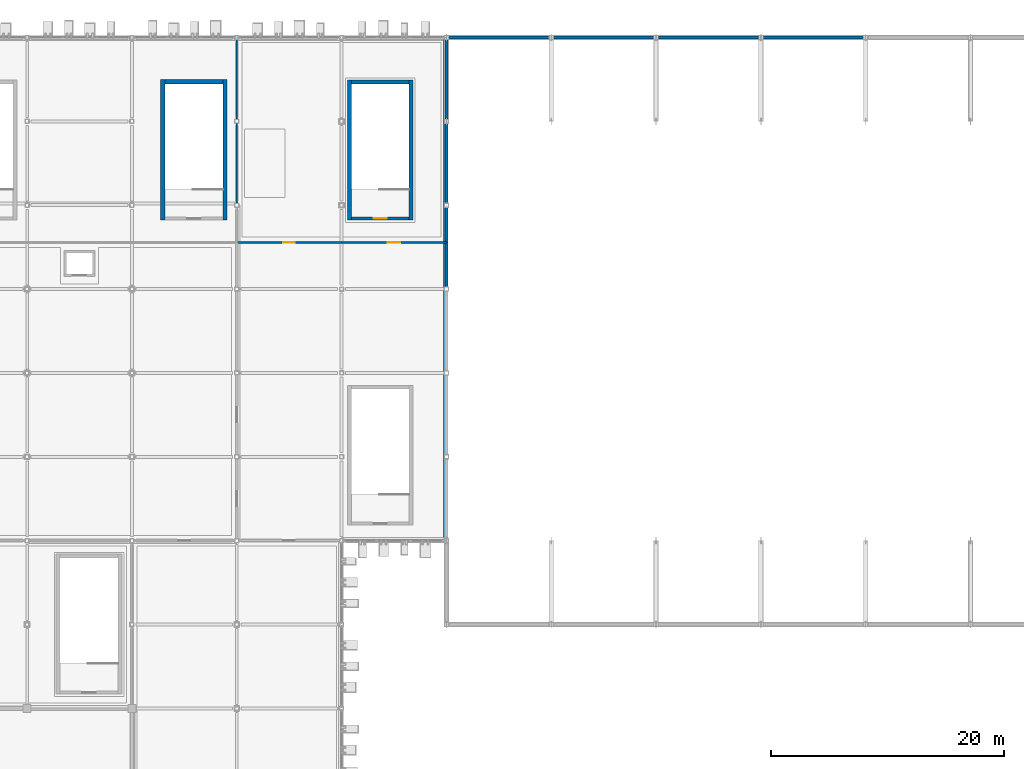
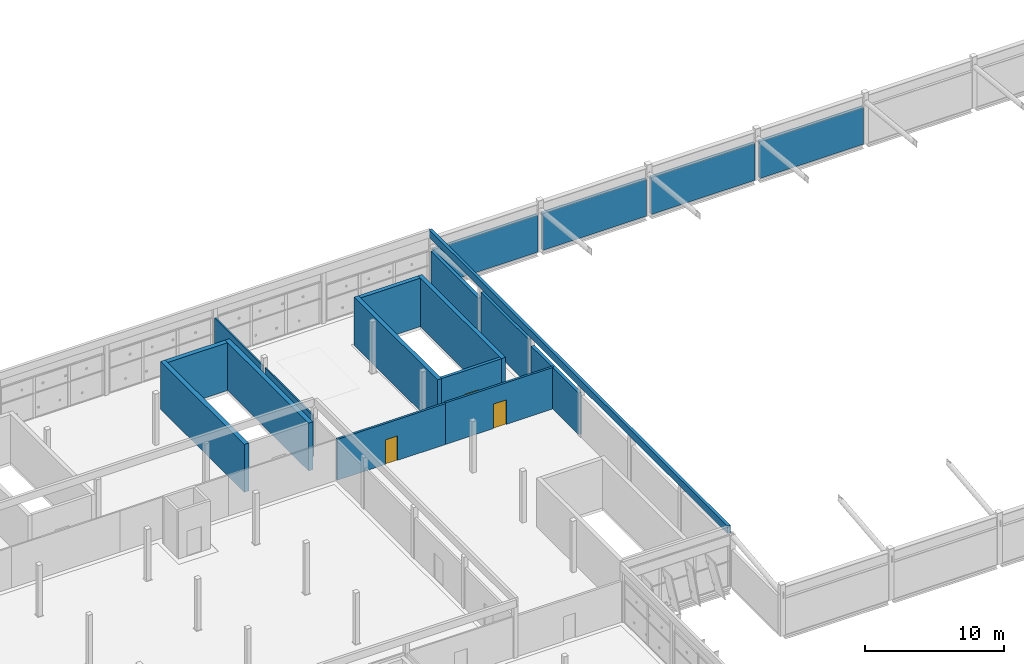
# One storey, part 107 of 124: 19 walls, 3 doors, 3 openings.
"""IFC4 building model written with IfcOpenShell, lengths in metres."""

import ifcopenshell
import ifcopenshell.guid

model = None  # the IFC model being written
_history = None  # IfcOwnerHistory: only IFC2X3 demands one
_inside = {}  # id of a spatial element -> (the spatial element, [elements in it])
_under = {}  # id of a project, library or spatial element -> (it, [spatial elements below it])
_declared = {}  # id of a project -> (the project, [libraries it declares])
_typed = {}  # id of a type object -> (the type object, [elements of that type])
_made_of = {}  # id of a material, layer set ... -> (it, [elements and type objects made of it])


def new_model(schema):
    """Start an empty IFC model of exactly this schema.

    Asked for "IFC4X3", IfcOpenShell would pick the latest addendum, in which some entities
    have other attributes; the version numbers below select the first issue.
    IFC2X3 requires an IfcOwnerHistory on every rooted entity: one is made here for all.
    """
    global model, _history
    if schema == "IFC4X3":
        model = ifcopenshell.file(schema_version=(4, 3, 0, 0))
    else:
        model = ifcopenshell.file(schema=schema)
    _inside.clear()
    _under.clear()
    _declared.clear()
    _typed.clear()
    _made_of.clear()
    _history = None
    if model.schema == "IFC2X3":
        org = make("IfcOrganization", Name="unknown")
        user = make(
            "IfcPersonAndOrganization",
            ThePerson=make("IfcPerson", FamilyName="unknown"),
            TheOrganization=org,
        )
        app = make(
            "IfcApplication",
            ApplicationDeveloper=org,
            Version="unknown",
            ApplicationFullName="unknown",
            ApplicationIdentifier="unknown",
        )
        _history = make(
            "IfcOwnerHistory",
            OwningUser=user,
            OwningApplication=app,
            ChangeAction="ADDED",
            CreationDate=0,
        )
    return model


def make(cls, **values):
    """One entity of the class cls with the attributes given. An attribute that is None is left unset."""
    return model.create_entity(
        cls, **{name: value for name, value in values.items() if value is not None}
    )


def rooted(cls, **values):
    """An entity with a GlobalId (a new one), such as an element, a storey or a relation."""
    return make(cls, GlobalId=ifcopenshell.guid.new(), OwnerHistory=_history, **values)


def si_unit(unit_type, name, prefix=None):
    """IfcSIUnit, for example si_unit("LENGTHUNIT", "METRE", prefix="MILLI")."""
    return make("IfcSIUnit", UnitType=unit_type, Prefix=prefix, Name=name)


def assignment(units):
    """IfcUnitAssignment: the units of a project."""
    return None if units is None else make("IfcUnitAssignment", Units=units)


def point(xyz):
    """IfcCartesianPoint."""
    return None if xyz is None else make("IfcCartesianPoint", Coordinates=xyz)


def direction(xyz):
    """IfcDirection."""
    return None if xyz is None else make("IfcDirection", DirectionRatios=xyz)


def frame(location, z_axis=None, x_axis=None):
    """IfcAxis2Placement3D, a coordinate frame: its origin and axes. An axis left out is left unset."""
    return make(
        "IfcAxis2Placement3D",
        Location=point(location),
        Axis=direction(z_axis),
        RefDirection=direction(x_axis),
    )


def frame_2d(location, x_axis=None):
    """IfcAxis2Placement2D, a coordinate frame in the plane: its origin and x axis."""
    return make(
        "IfcAxis2Placement2D", Location=point(location), RefDirection=direction(x_axis)
    )


def origin():
    """The frame at (0, 0, 0) with its axes left unset."""
    return frame((0.0, 0.0, 0.0))


def place(relative_to, where):
    """IfcLocalPlacement: puts the frame where relative to a parent placement (None: the world)."""
    return make(
        "IfcLocalPlacement", PlacementRelTo=relative_to, RelativePlacement=where
    )


def context(
    kind, dimensions, precision=None, world=None, true_north=None, identifier=None
):
    """IfcGeometricRepresentationContext, for example the 3D "Model" context."""
    return make(
        "IfcGeometricRepresentationContext",
        ContextIdentifier=identifier,
        ContextType=kind,
        CoordinateSpaceDimension=dimensions,
        Precision=precision,
        WorldCoordinateSystem=world,
        TrueNorth=true_north,
    )


def subcontext(parent, identifier, kind, view, scale=None):
    """IfcGeometricRepresentationSubContext, for example "Body" below "Model"."""
    return make(
        "IfcGeometricRepresentationSubContext",
        ContextIdentifier=identifier,
        ContextType=kind,
        ParentContext=parent,
        TargetScale=scale,
        TargetView=view,
    )


def project(units=None, contexts=None):
    """IfcProject with its units and contexts."""
    return rooted(
        "IfcProject",
        Name="project",
        RepresentationContexts=contexts,
        UnitsInContext=assignment(units),
    )


def spatial(cls, under=None, at=None, **own):
    """A site, building, storey or space (cls), placed at a placement, below another one or the project."""
    s = rooted(cls, ObjectPlacement=at, **own)
    if under is not None:
        _under.setdefault(under.id(), (under, []))[1].append(s)
    return s


def profile(cls, at=None, kind="AREA", **sizes):
    """A parametric profile (cls). Its sizes go by their IFC names, for example OverallWidth=200.0."""
    return make(cls, ProfileType=kind, Position=at, **sizes)


def rectangle(**sizes):
    """IfcRectangleProfileDef."""
    return profile("IfcRectangleProfileDef", **sizes)


def extrude(swept, where, along, depth):
    """IfcExtrudedAreaSolid: the profile swept, set in the frame where, extruded along a direction by depth."""
    return make(
        "IfcExtrudedAreaSolid",
        SweptArea=swept,
        Position=where,
        ExtrudedDirection=direction(along),
        Depth=depth,
    )


def shape(context_of_items, identifier, shape_type, items):
    """IfcShapeRepresentation: the items that make up one representation, for example the "Body"."""
    return make(
        "IfcShapeRepresentation",
        ContextOfItems=context_of_items,
        RepresentationIdentifier=identifier,
        RepresentationType=shape_type,
        Items=items,
    )


def material(Name=None, Category=None):
    """IfcMaterial."""
    return make("IfcMaterial", Name=Name, Category=Category)


def layer(
    of_material, thickness, ventilated=None, Name=None, Category=None, Priority=None
):
    """IfcMaterialLayer: one layer of a wall or slab, of a material (None: an air gap)."""
    return make(
        "IfcMaterialLayer",
        Material=of_material,
        LayerThickness=thickness,
        IsVentilated=ventilated,
        Name=Name,
        Category=Category,
        Priority=Priority,
    )


def layer_set(layers, Name=None):
    """IfcMaterialLayerSet."""
    return make("IfcMaterialLayerSet", MaterialLayers=layers, LayerSetName=Name)


def made_of(thing, what):
    """Note that an element or type object is made of a material, layer set ...; save() writes the relation."""
    if what is not None:
        _made_of.setdefault(what.id(), (what, []))[1].append(thing)
    return thing


def type_object(cls, material=None, **own):
    """A type object (cls), such as IfcWallType, which elements share."""
    return made_of(rooted(cls, **own), material)


def element(
    cls,
    number,
    at=None,
    inside=None,
    cuts=None,
    type_object=None,
    material=None,
    context=None,
    identifier="Body",
    shape_type=None,
    held_by="IfcProductDefinitionShape",
    body=None,
    shapes=None,
    **own,
):
    """One element of the class cls, such as IfcWall. Its Tag is "e" and its number.

    at: its placement. inside: the storey or other place that contains it. cuts: it is an
    opening in that element (IfcRelVoidsElement). A single representation is given by context,
    identifier, shape_type and body (its items); several are given by shapes. held_by: the class
    of the entity that holds the representations. save() writes the other relations.
    """
    e = rooted(cls, Tag="e%d" % number, ObjectPlacement=at, **own)
    if body is not None:
        shapes = [shape(context, identifier, shape_type, body)]
    if shapes is not None:
        e.Representation = make(held_by, Representations=shapes)
    if inside is not None:
        _inside.setdefault(inside.id(), (inside, []))[1].append(e)
    if cuts is not None:
        rooted(
            "IfcRelVoidsElement", RelatingBuildingElement=cuts, RelatedOpeningElement=e
        )
    if type_object is not None:
        _typed.setdefault(type_object.id(), (type_object, []))[1].append(e)
    return made_of(e, material)


def fill(opening, filler):
    """IfcRelFillsElement: the door or window that sits in an opening."""
    return rooted(
        "IfcRelFillsElement",
        RelatingOpeningElement=opening,
        RelatedBuildingElement=filler,
    )


def aggregate(whole, parts):
    """IfcRelAggregates: a whole, such as a stair, and the parts it consists of."""
    return rooted("IfcRelAggregates", RelatingObject=whole, RelatedObjects=parts)


def save(model, path):
    """Write the relations noted so far, then the file.

    IfcRelAggregates (storeys below a building ...), IfcRelContainedInSpatialStructure (elements
    in a storey), IfcRelDefinesByType, IfcRelAssociatesMaterial and IfcRelDeclares: one each for
    every whole, place, type object, material and project.
    """
    for whole, parts in _under.values():
        aggregate(whole, parts)
    for where, things in _inside.values():
        rooted(
            "IfcRelContainedInSpatialStructure",
            RelatedElements=things,
            RelatingStructure=where,
        )
    for kind, things in _typed.values():
        rooted("IfcRelDefinesByType", RelatedObjects=things, RelatingType=kind)
    for what, things in _made_of.values():
        rooted("IfcRelAssociatesMaterial", RelatedObjects=things, RelatingMaterial=what)
    for by, libraries in _declared.values():
        rooted("IfcRelDeclares", RelatingContext=by, RelatedDefinitions=libraries)
    model.write(path)


model = new_model("IFC4")

# Units and contexts
model_context = context("Model", 3, precision=1e-05, world=origin(), true_north=direction((0.0, 1.0)))
body_context = subcontext(model_context, "Body", "Model", "MODEL_VIEW")
ifc_project = project(units=[si_unit("LENGTHUNIT", "METRE"), si_unit("AREAUNIT", "SQUARE_METRE"), si_unit("VOLUMEUNIT", "CUBIC_METRE"), si_unit("PLANEANGLEUNIT", "RADIAN"), si_unit("MASSUNIT", "GRAM", prefix="KILO")], contexts=[model_context])

# Site, building, storey
site_placement = place(None, origin())
site = spatial("IfcSite", under=ifc_project, at=site_placement, CompositionType="ELEMENT")
building_placement = place(site_placement, origin())
building = spatial("IfcBuilding", under=site, at=building_placement, Name="Celestram Park Convention Centre", CompositionType="ELEMENT")
storey_placement = place(building_placement, frame((0.0, 0.0, 15.300048828125)))
storey = spatial("IfcBuildingStorey", under=building, at=storey_placement, Name="L03", CompositionType="ELEMENT", Elevation=15.300048828125)

# Wall, opening, door
ifc_material_1 = material(Name="Concrete Block Masonry C25/30", Category="masonry")
ifc_layer_1 = layer(ifc_material_1, 0.25)
ifc_layer_set_1 = layer_set([ifc_layer_1], Name="Concrete Block Masonry C25/30")
wall_type_1 = type_object("IfcWallType", Name="ARC-WL-COR250", PredefinedType="STANDARD", material=ifc_layer_set_1)
wall_1_placement = place(storey_placement, frame((144.840087890625, 150.074951171875, 0.0), z_axis=(0.0, 0.0, 1.0), x_axis=(1.0, 0.0, 0.0)))
wall_1 = element("IfcWall", 1, at=wall_1_placement, inside=storey, type_object=wall_type_1, Name="Core S09 stair entrance wall", PredefinedType="STANDARD", context=body_context, shape_type="SweptSolid", body=[
    extrude(rectangle(XDim=4.9599609375, YDim=0.25, at=frame_2d((2.47998046875, 0.0))), origin(), (0.0, 0.0, 1.0), 4.25),
])
opening_1_placement = place(wall_1_placement, frame((1.905029296875, 0.0, 0.0)))
opening_1 = element("IfcOpeningElement", 2, at=opening_1_placement, cuts=wall_1, Name="Opening D-ST1", PredefinedType="OPENING", context=body_context, shape_type="SweptSolid", body=[
    extrude(rectangle(XDim=1.14990234375, YDim=2.199951171875, at=frame_2d((0.574951171875, 1.10009765625))), frame((0.0, 0.135009765625, 0.0), z_axis=(0.0, -1.0, 0.0), x_axis=(1.0, 0.0, 0.0)), (0.0, 0.0, 1.0), 0.27001953125),
])
ifc_material_2 = material(Name="Fire-Rated Hollow Metal Steel ASTM A653", Category="steel")
door_type_1 = type_object("IfcDoorType", Name="ARC-DR-ST115", OperationType="NOTDEFINED", PredefinedType="DOOR", material=ifc_material_2)
door_1_placement = place(opening_1_placement, origin())
door_1 = element("IfcDoor", 3, at=door_1_placement, inside=storey, type_object=door_type_1, Name="Exit stair ST-09 fire door", OperationType="SINGLE_SWING_RIGHT", OverallHeight=2.199951171875, OverallWidth=1.14990234375, PredefinedType="DOOR", context=body_context, shape_type="SweptSolid", body=[
    extrude(rectangle(XDim=1.14990234375, YDim=2.199951171875, at=frame_2d((0.574951171875, 1.10009765625))), frame((0.0, 0.02490234375, 0.0), z_axis=(0.0, -1.0, 0.0), x_axis=(1.0, 0.0, 0.0)), (0.0, 0.0, 1.0), 0.050048828125),
])
fill(opening_1, door_1)

# Walls
ifc_material_3 = material(Name="Precast Concrete C40/50", Category="concrete")
ifc_layer_2 = layer(ifc_material_3, 0.260009765625)
ifc_layer_set_2 = layer_set([ifc_layer_2], Name="Precast Concrete C40/50")
wall_type_2 = type_object("IfcWallType", Name="ARC-WL-EXT260", PredefinedType="STANDARD", material=ifc_layer_set_2)
wall_2_placement = place(storey_placement, frame((153.0, 165.402099609375, 0.0), z_axis=(0.0, 0.0, 1.0), x_axis=(0.0, -1.0, 0.0)))
element("IfcWall", 4, at=wall_2_placement, inside=storey, type_object=wall_type_2, Name="Acoustic hall overlook wall WL-L03-EW189", PredefinedType="STANDARD", context=body_context, shape_type="SweptSolid", body=[
    extrude(rectangle(XDim=6.80419921875, YDim=0.260009765625, at=frame_2d((3.402099609375, 0.0))), origin(), (0.0, 0.0, 1.0), 3.239013671875),
])
wall_3_placement = place(storey_placement, frame((153.0, 158.201904296875, 0.0), z_axis=(0.0, 0.0, 1.0), x_axis=(0.0, -1.0, 0.0)))
element("IfcWall", 5, at=wall_3_placement, inside=storey, type_object=wall_type_2, Name="Acoustic hall overlook wall WL-L03-EW190", PredefinedType="STANDARD", context=body_context, shape_type="SweptSolid", body=[
    extrude(rectangle(XDim=6.803955078125, YDim=0.260009765625, at=frame_2d((3.40185546875, 0.0))), origin(), (0.0, 0.0, 1.0), 4.010009765625),
])
wall_4_placement = place(storey_placement, frame((153.0, 151.001953125, 0.0), z_axis=(0.0, 0.0, 1.0), x_axis=(0.0, -1.0, 0.0)))
element("IfcWall", 6, at=wall_4_placement, inside=storey, type_object=wall_type_2, Name="Acoustic hall overlook wall WL-L03-EW191", PredefinedType="STANDARD", context=body_context, shape_type="SweptSolid", body=[
    extrude(rectangle(XDim=6.803955078125, YDim=0.260009765625, at=frame_2d((3.40185546875, 0.0))), origin(), (0.0, 0.0, 1.0), 3.64794921875),
])
for number, where, z_axis, x_axis, name in (
    (7, (153.197998046875, 165.60009765625, 0.0), (0.0, 0.0, 1.0), (1.0, 0.0, 0.0), "Bush-hammered precast exterior wall WL-L03-EW195"),
    (8, (162.197998046875, 165.60009765625, 0.0), (0.0, 0.0, 1.0), (1.0, 0.0, 0.0), "Bush-hammered precast exterior wall WL-L03-EW196"),
    (9, (171.197998046875, 165.60009765625, 0.0), (0.0, 0.0, 1.0), (1.0, 0.0, 0.0), "Bush-hammered precast exterior wall WL-L03-EW197"),
    (10, (180.197998046875, 165.60009765625, 0.0), (0.0, 0.0, 1.0), (1.0, 0.0, 0.0), "Bush-hammered precast exterior wall WL-L03-EW198"),
):
    element("IfcWall", number, at=place(storey_placement, frame(where, z_axis=z_axis, x_axis=x_axis)), inside=storey, type_object=wall_type_2, Name=name, PredefinedType="STANDARD", context=body_context, shape_type="SweptSolid", body=[
        extrude(rectangle(XDim=8.60400390625, YDim=0.260009765625, at=frame_2d((4.302001953125, 0.0))), origin(), (0.0, 0.0, 1.0), 3.239013671875),
    ])
ifc_layer_3 = layer(ifc_material_3, 0.239990234375)
ifc_layer_set_3 = layer_set([ifc_layer_3], Name="Precast Concrete C40/50")
wall_type_3 = type_object("IfcWallType", Name="ARC-WL-PAR240", PredefinedType="PARAPET", material=ifc_layer_set_3)
wall_5_placement = place(storey_placement, frame((152.860107421875, 165.4599609375, 4.5), z_axis=(0.0, 0.0, 1.0), x_axis=(0.0, -1.0, 0.0)))
element("IfcWall", 11, at=wall_5_placement, inside=storey, type_object=wall_type_3, Name="Flat roof parapet WL-L03-PR06", PredefinedType="PARAPET", context=body_context, shape_type="SweptSolid", body=[
    extrude(rectangle(XDim=42.919921875, YDim=0.239990234375, at=frame_2d((21.4599609375, 0.0))), origin(), (0.0, 0.0, 1.0), 0.64990234375),
])
ifc_material_4 = material(Name="Standard Gypsum & Steel Stud 120 mm", Category="steel")
ifc_layer_4 = layer(ifc_material_4, 0.1201171875)
ifc_layer_set_4 = layer_set([ifc_layer_4], Name="Standard Gypsum & Steel Stud 120 mm")
wall_type_4 = type_object("IfcWallType", Name="ARC-WL-PRT120", PredefinedType="PARTITIONING", material=ifc_layer_set_4)
for number, where, z_axis, x_axis, name in (
    (12, (135.0, 151.373046875, 0.0), (0.0, 0.0, 1.0), (0.0, 1.0, 0.0), "Interior partition WL-L03-IN0941"),
    (13, (135.0, 158.572998046875, 0.0), (0.0, 0.0, 1.0), (0.0, 1.0, 0.0), "Interior partition WL-L03-IN0942"),
):
    element("IfcWall", number, at=place(storey_placement, frame(where, z_axis=z_axis, x_axis=x_axis)), inside=storey, type_object=wall_type_4, Name=name, PredefinedType="PARTITIONING", context=body_context, shape_type="SweptSolid", body=[
        extrude(rectangle(XDim=6.85400390625, YDim=0.1201171875, at=frame_2d((3.427001953125, 0.0))), origin(), (0.0, 0.0, 1.0), 3.64794921875),
    ])

# Wall, opening, door
ifc_material_5 = material(Name="Fire-Rated Gypsum & Steel Stud 180 mm", Category="steel")
ifc_layer_5 = layer(ifc_material_5, 0.179931640625)
ifc_layer_set_5 = layer_set([ifc_layer_5], Name="Fire-Rated Gypsum & Steel Stud 180 mm")
wall_type_5 = type_object("IfcWallType", Name="ARC-WL-PRT180", PredefinedType="PARTITIONING", material=ifc_layer_set_5)
wall_6_placement = place(storey_placement, frame((135.0, 148.0, 0.0), z_axis=(0.0, 0.0, 1.0), x_axis=(1.0, 0.0, 0.0)))
wall_6 = element("IfcWall", 14, at=wall_6_placement, inside=storey, type_object=wall_type_5, Name="Interior partition WL-L03-IN0911", PredefinedType="PARTITIONING", context=body_context, shape_type="SweptSolid", body=[
    extrude(rectangle(XDim=9.0, YDim=0.179931640625, at=frame_2d((4.5, 0.0))), origin(), (0.0, 0.0, 1.0), 3.587890625),
])
opening_2_placement = place(wall_6_placement, frame((4.0, 0.0, 0.0)))
opening_2 = element("IfcOpeningElement", 15, at=opening_2_placement, cuts=wall_6, Name="Opening D-07", PredefinedType="OPENING", context=body_context, shape_type="SweptSolid", body=[
    extrude(rectangle(XDim=1.0, YDim=2.14990234375, at=frame_2d((0.5, 1.074951171875))), frame((0.0, 0.099853515625, 0.0), z_axis=(0.0, -1.0, 0.0), x_axis=(1.0, 0.0, 0.0)), (0.0, 0.0, 1.0), 0.199951171875),
])
ifc_material_6 = material(Name="Solid Core White Oak Single Door", Category="wood")
door_type_2 = type_object("IfcDoorType", Name="ARC-DR-RM100", OperationType="NOTDEFINED", PredefinedType="DOOR", material=ifc_material_6)
door_2_placement = place(opening_2_placement, origin())
door_2 = element("IfcDoor", 16, at=door_2_placement, inside=storey, type_object=door_type_2, Name="East Park Speaker Lounge entrance door", OperationType="SINGLE_SWING_LEFT", OverallHeight=2.14990234375, OverallWidth=1.0, PredefinedType="DOOR", context=body_context, shape_type="SweptSolid", body=[
    extrude(rectangle(XDim=1.0, YDim=2.14990234375, at=frame_2d((0.5, 1.074951171875))), frame((0.0, 0.02490234375, 0.0), z_axis=(0.0, -1.0, 0.0), x_axis=(1.0, 0.0, 0.0)), (0.0, 0.0, 1.0), 0.050048828125),
])
fill(opening_2, door_2)

wall_7_placement = place(storey_placement, frame((144.0, 148.0, 0.0), z_axis=(0.0, 0.0, 1.0), x_axis=(1.0, 0.0, 0.0)))
wall_7 = element("IfcWall", 17, at=wall_7_placement, inside=storey, type_object=wall_type_5, Name="Interior partition WL-L03-IN0912", PredefinedType="PARTITIONING", context=body_context, shape_type="SweptSolid", body=[
    extrude(rectangle(XDim=9.0, YDim=0.179931640625, at=frame_2d((4.5, 0.0))), origin(), (0.0, 0.0, 1.0), 3.64794921875),
])
opening_3_placement = place(wall_7_placement, frame((3.97509765625, 0.0, 0.0)))
opening_3 = element("IfcOpeningElement", 18, at=opening_3_placement, cuts=wall_7, Name="Opening D-06", PredefinedType="OPENING", context=body_context, shape_type="SweptSolid", body=[
    extrude(rectangle(XDim=1.050048828125, YDim=2.14990234375, at=frame_2d((0.52490234375, 1.074951171875))), frame((0.0, 0.099853515625, 0.0), z_axis=(0.0, -1.0, 0.0), x_axis=(1.0, 0.0, 0.0)), (0.0, 0.0, 1.0), 0.199951171875),
])
door_type_3 = type_object("IfcDoorType", Name="ARC-DR-RM105", OperationType="NOTDEFINED", PredefinedType="DOOR", material=ifc_material_6)
door_3_placement = place(opening_3_placement, origin())
door_3 = element("IfcDoor", 19, at=door_3_placement, inside=storey, type_object=door_type_3, Name="East Park Speaker Lounge entrance door", OperationType="SINGLE_SWING_RIGHT", OverallHeight=2.14990234375, OverallWidth=1.050048828125, PredefinedType="DOOR", context=body_context, shape_type="SweptSolid", body=[
    extrude(rectangle(XDim=1.050048828125, YDim=2.14990234375, at=frame_2d((0.52490234375, 1.074951171875))), frame((0.0, 0.02490234375, 0.0), z_axis=(0.0, -1.0, 0.0), x_axis=(1.0, 0.0, 0.0)), (0.0, 0.0, 1.0), 0.050048828125),
])
fill(opening_3, door_3)

# Walls
ifc_material_7 = material(Name="Concrete C40/50", Category="concrete")
ifc_layer_6 = layer(ifc_material_7, 0.340087890625)
ifc_layer_set_6 = layer_set([ifc_layer_6], Name="Concrete C40/50")
wall_type_6 = type_object("IfcWallType", Name="STR-WL-SHR340", PredefinedType="SHEAR", material=ifc_layer_set_6)
for number, where, z_axis, x_axis, name in (
    (20, (144.669921875, 149.949951171875, 0.0), (0.0, 0.0, 1.0), (0.0, 1.0, 0.0), "Core S09 shear wall L"),
    (21, (149.969970703125, 161.93994140625, 0.0), (0.0, 0.0, 1.0), (0.0, -1.0, 0.0), "Core S09 shear wall R"),
):
    element("IfcWall", number, at=place(storey_placement, frame(where, z_axis=z_axis, x_axis=x_axis)), inside=storey, type_object=wall_type_6, Name=name, PredefinedType="SHEAR", context=body_context, shape_type="SweptSolid", body=[
        extrude(rectangle(XDim=11.989990234375, YDim=0.340087890625, at=frame_2d((5.9951171875, 0.0))), origin(), (0.0, 0.0, 1.0), 4.260009765625),
    ])
wall_8_placement = place(storey_placement, frame((144.840087890625, 161.77001953125, 0.0), z_axis=(0.0, 0.0, 1.0), x_axis=(1.0, 0.0, 0.0)))
element("IfcWall", 22, at=wall_8_placement, inside=storey, type_object=wall_type_6, Name="Core S09 shear wall F", PredefinedType="SHEAR", context=body_context, shape_type="SweptSolid", body=[
    extrude(rectangle(XDim=4.9599609375, YDim=0.340087890625, at=frame_2d((2.47998046875, 0.0))), origin(), (0.0, 0.0, 1.0), 4.260009765625),
])
ifc_layer_7 = layer(ifc_material_7, 0.3798828125)
ifc_layer_set_7 = layer_set([ifc_layer_7], Name="Concrete C40/50")
wall_type_7 = type_object("IfcWallType", Name="STR-WL-SHR380", PredefinedType="SHEAR", material=ifc_layer_set_7)
for number, where, z_axis, x_axis, name in (
    (23, (128.64990234375, 149.949951171875, 0.0), (0.0, 0.0, 1.0), (0.0, 1.0, 0.0), "Core C5 shear wall L"),
    (24, (133.989990234375, 161.97998046875, 0.0), (0.0, 0.0, 1.0), (0.0, -1.0, 0.0), "Core C5 shear wall R"),
):
    element("IfcWall", number, at=place(storey_placement, frame(where, z_axis=z_axis, x_axis=x_axis)), inside=storey, type_object=wall_type_7, Name=name, PredefinedType="SHEAR", context=body_context, shape_type="SweptSolid", body=[
        extrude(rectangle(XDim=12.030029296875, YDim=0.3798828125, at=frame_2d((6.01513671875, 0.0))), origin(), (0.0, 0.0, 1.0), 4.199951171875),
    ])
wall_9_placement = place(storey_placement, frame((128.840087890625, 161.7900390625, 0.0), z_axis=(0.0, 0.0, 1.0), x_axis=(1.0, 0.0, 0.0)))
element("IfcWall", 25, at=wall_9_placement, inside=storey, type_object=wall_type_7, Name="Core C5 shear wall F", PredefinedType="SHEAR", context=body_context, shape_type="SweptSolid", body=[
    extrude(rectangle(XDim=4.9599609375, YDim=0.3798828125, at=frame_2d((2.47998046875, 0.0))), origin(), (0.0, 0.0, 1.0), 4.199951171875),
])

save(model, "model.ifc")
